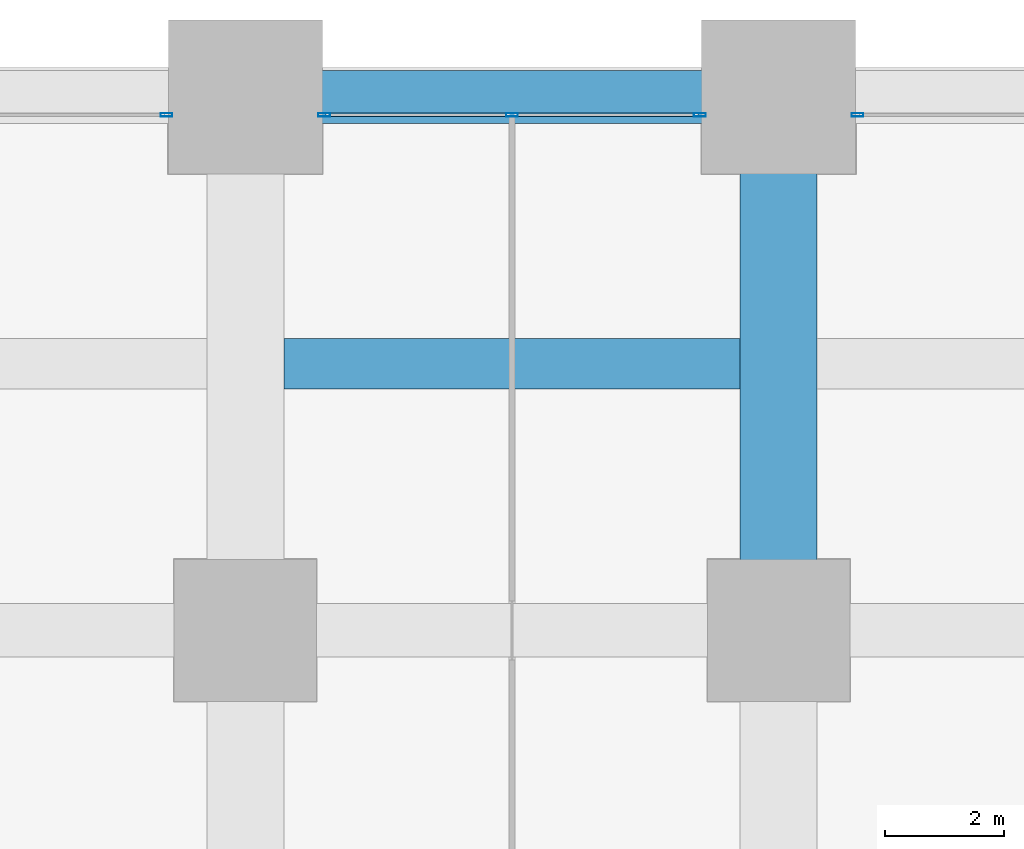
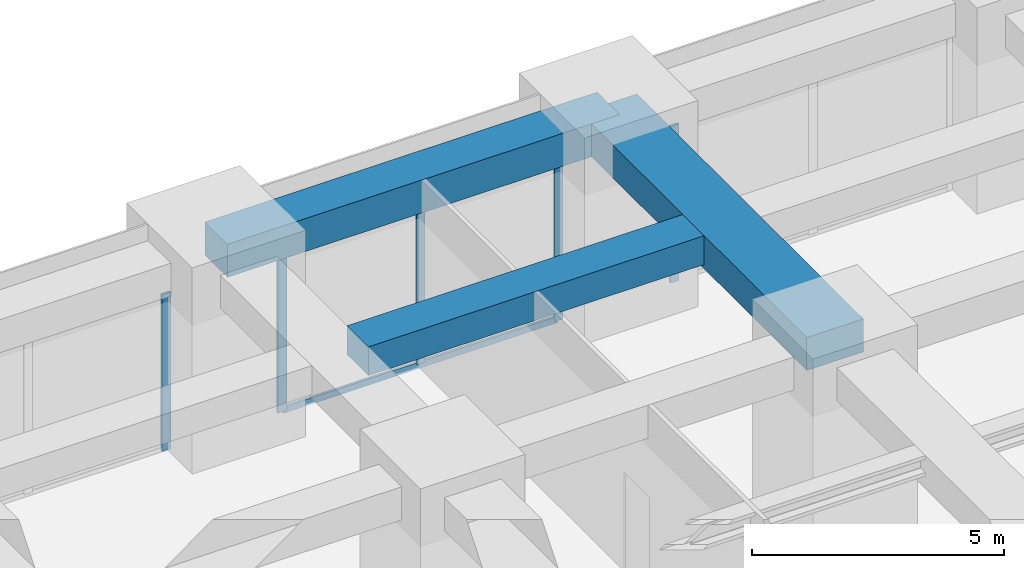
# One storey, part 27 of 46: 6 members, 3 beams, 3 elements without a shape of their own.
"""IFC4 building model written with IfcOpenShell, lengths in metres."""

from ifc_helpers import new_model, si_unit, direction, frame, origin, origin_2d, place, context, subcontext, project, spatial, rectangle, hollow_rectangle, extrude, material, material_profile, profile_set, type_object, element, aggregate, save


model = new_model("IFC4")

# Units and contexts
model_context = context("Model", 3, precision=1e-05, world=origin(), true_north=direction((0.0, 1.0)))
body_context = subcontext(model_context, "Body", "Model", "MODEL_VIEW")
ifc_project = project(units=[si_unit("LENGTHUNIT", "METRE"), si_unit("AREAUNIT", "SQUARE_METRE"), si_unit("VOLUMEUNIT", "CUBIC_METRE"), si_unit("PLANEANGLEUNIT", "RADIAN"), si_unit("MASSUNIT", "GRAM", prefix="KILO")], contexts=[model_context])

# Site, building, storey
site_placement = place(None, origin())
site = spatial("IfcSite", under=ifc_project, at=site_placement, CompositionType="ELEMENT")
building_placement = place(site_placement, origin())
building = spatial("IfcBuilding", under=site, at=building_placement, Name="Zorevar Civic Tower", CompositionType="ELEMENT")
storey_placement = place(building_placement, frame((0.0, 0.0, 10.800048828125)))
storey = spatial("IfcBuildingStorey", under=building, at=storey_placement, Name="L02", CompositionType="ELEMENT", Elevation=10.800048828125)

# Beams
ifc_material_1 = material(Name="Concrete C50/60", Category="concrete")
ifc_material_profile_1 = material_profile(ifc_material_1, rectangle(XDim=1.300048828125, YDim=0.800048828125, at=origin_2d()), Name="RC 1300x800")
ifc_profile_set_1 = profile_set([ifc_material_profile_1], Name="Concrete C50/60")
beam_type_1 = type_object("IfcBeamType", Name="Beam RC 1300x800", PredefinedType="BEAM", material=ifc_profile_set_1)
beam_1_placement = place(storey_placement, frame((36.0, 45.0, 4.199951171875), z_axis=(0.0, 1.0, 0.0), x_axis=(-1.0, 0.0, 0.0)))
element("IfcBeam", 1, at=beam_1_placement, inside=storey, type_object=beam_type_1, Name="Girder L03", PredefinedType="BEAM", context=body_context, shape_type="SweptSolid", body=[
    extrude(rectangle(XDim=1.300048828125, YDim=0.800048828125, at=origin_2d()), origin(), (0.0, 0.0, 1.0), 9.0),
])
ifc_material_2 = material(Name="Concrete C50/60", Category="concrete")
ifc_material_profile_2 = material_profile(ifc_material_2, rectangle(XDim=0.85009765625, YDim=0.699951171875, at=origin_2d()), Name="RC 850x700")
ifc_profile_set_2 = profile_set([ifc_material_profile_2], Name="Concrete C50/60")
beam_type_2 = type_object("IfcBeamType", Name="Beam RC 850x700", PredefinedType="BEAM", material=ifc_profile_set_2)
beam_2_placement = place(storey_placement, frame((27.64990234375, 49.5, 4.25), z_axis=(1.0, 0.0, 0.0), x_axis=(0.0, 1.0, 0.0)))
element("IfcBeam", 2, at=beam_2_placement, inside=storey, type_object=beam_type_2, Name="Secondary beam L03", PredefinedType="BEAM", context=body_context, shape_type="SweptSolid", body=[
    extrude(rectangle(XDim=0.85009765625, YDim=0.699951171875, at=origin_2d()), origin(), (0.0, 0.0, 1.0), 7.7001953125),
])

# Curtain wall, member
ifc_material_3 = material(Name="Dark grey solar-control glass in black aluminium frame", Category="aluminium")
curtain_wall_type = type_object("IfcCurtainWallType", Name="Curtain wall CW1 podium", PredefinedType="NOTDEFINED", material=ifc_material_3)
curtain_wall_1_placement = place(storey_placement, origin())
curtain_wall_1 = element("IfcCurtainWall", 3, at=curtain_wall_1_placement, inside=storey, type_object=curtain_wall_type, Name="CW1 L02", PredefinedType="NOTDEFINED")
ifc_material_4 = material(Name="Aluminium, black anodised", Category="aluminium")
ifc_material_profile_3 = material_profile(ifc_material_4, hollow_rectangle(XDim=0.06005859375, YDim=0.199951171875, WallThickness=0.00390625, at=origin_2d()), Name="AL 200x60x4")
ifc_profile_set_3 = profile_set([ifc_material_profile_3], Name="Aluminium, black anodised")
member_type_1 = type_object("IfcMemberType", Name="CW1 mullion AL 200x60x4", PredefinedType="MULLION", material=ifc_profile_set_3)
member_1_placement = place(storey_placement, frame((25.669921875, 53.699951171875, 0.0), z_axis=(0.0, 0.0, 1.0), x_axis=(0.0, 1.0, 0.0)))
member_1 = element("IfcMember", 4, at=member_1_placement, type_object=member_type_1, Name="CW1 mullion 3", PredefinedType="MULLION", context=body_context, shape_type="SweptSolid", body=[
    extrude(hollow_rectangle(XDim=0.06005859375, YDim=0.199951171875, WallThickness=0.00390625, at=origin_2d()), origin(), (0.0, 0.0, 1.0), 3.800048828125),
])
aggregate(curtain_wall_1, [member_1])

# Curtain wall, members
curtain_wall_2_placement = place(storey_placement, origin())
curtain_wall_2 = element("IfcCurtainWall", 5, at=curtain_wall_2_placement, inside=storey, type_object=curtain_wall_type, Name="CW1 L02", PredefinedType="NOTDEFINED")
member_2_placement = place(storey_placement, frame((28.330078125, 53.699951171875, 0.0), z_axis=(0.0, 0.0, 1.0), x_axis=(0.0, 1.0, 0.0)))
member_2 = element("IfcMember", 6, at=member_2_placement, type_object=member_type_1, Name="CW1 mullion 1", PredefinedType="MULLION", context=body_context, shape_type="SweptSolid", body=[
    extrude(hollow_rectangle(XDim=0.06005859375, YDim=0.199951171875, WallThickness=0.00390625, at=origin_2d()), origin(), (0.0, 0.0, 1.0), 3.800048828125),
])
member_3_placement = place(storey_placement, frame((31.5, 53.699951171875, 0.06005859375), z_axis=(0.0, 0.0, 1.0), x_axis=(0.0, 1.0, 0.0)))
member_3 = element("IfcMember", 7, at=member_3_placement, type_object=member_type_1, Name="CW1 mullion 2", PredefinedType="MULLION", context=body_context, shape_type="SweptSolid", body=[
    extrude(hollow_rectangle(XDim=0.06005859375, YDim=0.199951171875, WallThickness=0.00390625, at=origin_2d()), origin(), (0.0, 0.0, 1.0), 3.739990234375),
])
member_4_placement = place(storey_placement, frame((34.669921875, 53.699951171875, 0.0), z_axis=(0.0, 0.0, 1.0), x_axis=(0.0, 1.0, 0.0)))
member_4 = element("IfcMember", 8, at=member_4_placement, type_object=member_type_1, Name="CW1 mullion 3", PredefinedType="MULLION", context=body_context, shape_type="SweptSolid", body=[
    extrude(hollow_rectangle(XDim=0.06005859375, YDim=0.199951171875, WallThickness=0.00390625, at=origin_2d()), origin(), (0.0, 0.0, 1.0), 3.800048828125),
])

# Curtain wall, member
curtain_wall_3_placement = place(storey_placement, origin())
curtain_wall_3 = element("IfcCurtainWall", 9, at=curtain_wall_3_placement, inside=storey, type_object=curtain_wall_type, Name="CW1 L02", PredefinedType="NOTDEFINED")
member_5_placement = place(storey_placement, frame((37.330078125, 53.699951171875, 0.0), z_axis=(0.0, 0.0, 1.0), x_axis=(0.0, 1.0, 0.0)))
member_5 = element("IfcMember", 10, at=member_5_placement, type_object=member_type_1, Name="CW1 mullion 1", PredefinedType="MULLION", context=body_context, shape_type="SweptSolid", body=[
    extrude(hollow_rectangle(XDim=0.06005859375, YDim=0.199951171875, WallThickness=0.00390625, at=origin_2d()), origin(), (0.0, 0.0, 1.0), 3.800048828125),
])
aggregate(curtain_wall_3, [member_5])

# Member
ifc_material_5 = material(Name="Aluminium, black anodised", Category="aluminium")
ifc_material_profile_4 = material_profile(ifc_material_5, hollow_rectangle(XDim=0.06005859375, YDim=0.14990234375, WallThickness=0.00390625, at=origin_2d()), Name="AL 150x60x4")
ifc_profile_set_4 = profile_set([ifc_material_profile_4], Name="Aluminium, black anodised")
member_type_2 = type_object("IfcMemberType", Name="CW1 transom AL 150x60x4", PredefinedType="USERDEFINED", material=ifc_profile_set_4)
member_6_placement = place(storey_placement, frame((28.360107421875, 53.699951171875, 0.030029296875), z_axis=(1.0, 0.0, 0.0), x_axis=(0.0, 1.0, 0.0)))
member_6 = element("IfcMember", 11, at=member_6_placement, type_object=member_type_2, Name="CW1 sill transom", ObjectType="TRANSOM", PredefinedType="USERDEFINED", context=body_context, shape_type="SweptSolid", body=[
    extrude(hollow_rectangle(XDim=0.06005859375, YDim=0.14990234375, WallThickness=0.00390625, at=origin_2d()), origin(), (0.0, 0.0, 1.0), 6.27978515625),
])

aggregate(curtain_wall_2, [member_2, member_3, member_4, member_6])

# Beam
ifc_material_6 = material(Name="Concrete C50/60", Category="concrete")
ifc_material_profile_5 = material_profile(ifc_material_6, rectangle(XDim=0.89990234375, YDim=0.800048828125, at=origin_2d()), Name="RC 900x800")
ifc_profile_set_5 = profile_set([ifc_material_profile_5], Name="Concrete C50/60")
beam_type_3 = type_object("IfcBeamType", Name="Edge beam RC 900x800", PredefinedType="SPANDREL", material=ifc_profile_set_5)
beam_3_placement = place(storey_placement, frame((27.0, 54.0, 4.199951171875), z_axis=(1.0, 0.0, 0.0), x_axis=(0.0, 1.0, 0.0)))
element("IfcBeam", 12, at=beam_3_placement, inside=storey, type_object=beam_type_3, Name="Edge beam L03", PredefinedType="SPANDREL", context=body_context, shape_type="SweptSolid", body=[
    extrude(rectangle(XDim=0.89990234375, YDim=0.800048828125, at=origin_2d()), origin(), (0.0, 0.0, 1.0), 9.0),
])

save(model, "model.ifc")
